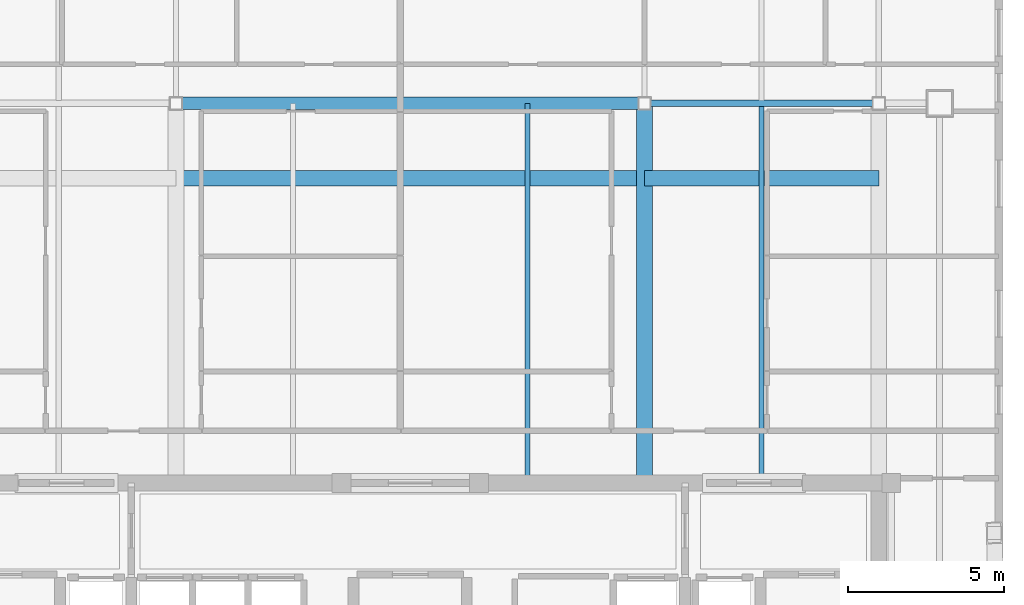
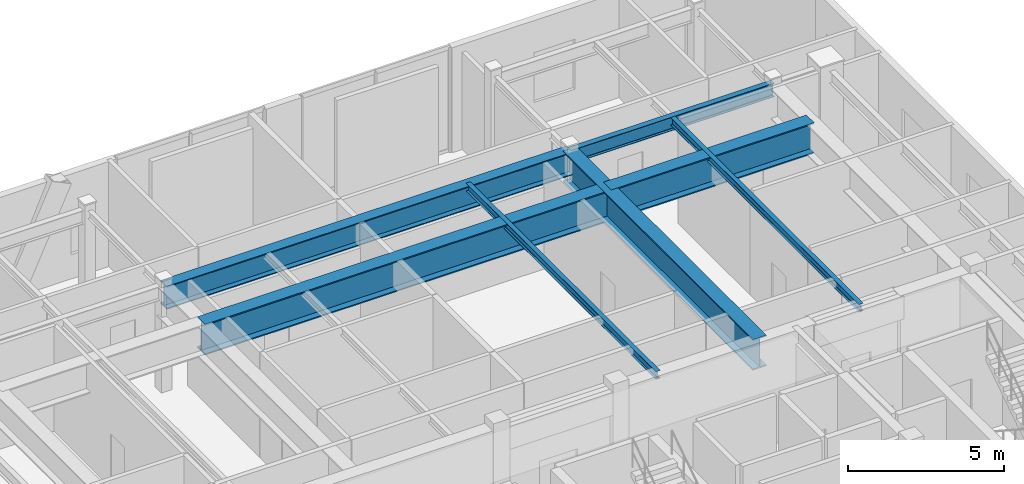
# One storey, part 3 of 10: 7 beams.
"""IFC4 building model written with IfcOpenShell, lengths in metres."""

from ifc_helpers import new_model, si_unit, direction, frame, origin, origin_2d, place, context, subcontext, project, spatial, i_section, extrude, material, material_profile, profile_set, type_object, element, save


model = new_model("IFC4")

# Units and contexts
model_context = context("Model", 3, precision=1e-05, world=origin(), true_north=direction((0.0, 1.0)))
body_context = subcontext(model_context, "Body", "Model", "MODEL_VIEW")
ifc_project = project(units=[si_unit("LENGTHUNIT", "METRE"), si_unit("AREAUNIT", "SQUARE_METRE"), si_unit("VOLUMEUNIT", "CUBIC_METRE"), si_unit("PLANEANGLEUNIT", "RADIAN"), si_unit("MASSUNIT", "GRAM", prefix="KILO")], contexts=[model_context])

# Site, building, storey
site_placement = place(None, origin())
site = spatial("IfcSite", under=ifc_project, at=site_placement, CompositionType="ELEMENT")
building_placement = place(site_placement, origin())
building = spatial("IfcBuilding", under=site, at=building_placement, Name="Ventersveld Concourse Tower", CompositionType="ELEMENT")
storey_placement = place(building_placement, frame((0.0, 0.0, 362.25)))
storey = spatial("IfcBuildingStorey", under=building, at=storey_placement, Name="L89", CompositionType="ELEMENT", Elevation=362.25)

# Beams
ifc_material_1 = material(Name="Structural steel S355J2", Category="steel")
ifc_material_profile_1 = material_profile(ifc_material_1, i_section(OverallWidth=0.1650390625, OverallDepth=0.303466796875, WebThickness=0.006103515625, FlangeThickness=0.01025390625, FilletRadius=0.0087890625, at=origin_2d()), Name="UB 305x165x40")
ifc_profile_set_1 = profile_set([ifc_material_profile_1], Name="Structural steel S355J2")
beam_type_1 = type_object("IfcBeamType", Name="BM-UB305", PredefinedType="BEAM", material=ifc_profile_set_1)
beam_1_placement = place(storey_placement, frame((32.5, 11.449951171875, 3.9482421875), z_axis=(0.0, 1.0, 0.0), x_axis=(-1.0, 0.0, 0.0)))
element("IfcBeam", 1, at=beam_1_placement, inside=storey, type_object=beam_type_1, Name="L89 N-S Composite Floor Beam South X=32.50", PredefinedType="BEAM", context=body_context, shape_type="SweptSolid", body=[
    extrude(i_section(OverallWidth=0.1650390625, OverallDepth=0.303466796875, WebThickness=0.006103515625, FlangeThickness=0.01025390625, FilletRadius=0.0087890625, at=origin_2d()), origin(), (0.0, 0.0, 1.0), 12.150146484375),
])
beam_2_placement = place(storey_placement, frame((40.0, 11.449951171875, 3.9482421875), z_axis=(0.0, 1.0, 0.0), x_axis=(-1.0, 0.0, 0.0)))
element("IfcBeam", 2, at=beam_2_placement, inside=storey, type_object=beam_type_1, Name="L89 N-S Composite Floor Beam South X=40.00", PredefinedType="BEAM", context=body_context, shape_type="SweptSolid", body=[
    extrude(i_section(OverallWidth=0.1650390625, OverallDepth=0.303466796875, WebThickness=0.006103515625, FlangeThickness=0.01025390625, FilletRadius=0.0087890625, at=origin_2d()), origin(), (0.0, 0.0, 1.0), 12.054931640625),
])
ifc_material_profile_2 = material_profile(ifc_material_1, i_section(OverallWidth=0.39990234375, OverallDepth=0.89990234375, WebThickness=0.02197265625, FlangeThickness=0.035888671875, at=origin_2d()), Name="PG 900x400x36")
ifc_profile_set_2 = profile_set([ifc_material_profile_2], Name="Structural steel S355J2")
beam_type_2 = type_object("IfcBeamType", Name="GRD-PG900", PredefinedType="USERDEFINED", material=ifc_profile_set_2)
beam_3_placement = place(storey_placement, frame((21.25, 23.60009765625, 3.64990234375), z_axis=(1.0, 0.0, 0.0), x_axis=(0.0, 1.0, 0.0)))
element("IfcBeam", 3, at=beam_3_placement, inside=storey, type_object=beam_type_2, Name="L89 Primary E-W Grid Girder Y=23.60 #3", ObjectType="GIRDER", PredefinedType="USERDEFINED", context=body_context, shape_type="SweptSolid", body=[
    extrude(i_section(OverallWidth=0.39990234375, OverallDepth=0.89990234375, WebThickness=0.02197265625, FlangeThickness=0.035888671875, at=origin_2d()), origin(), (0.0, 0.0, 1.0), 15.0),
])
ifc_material_profile_3 = material_profile(ifc_material_1, i_section(OverallWidth=0.209228515625, OverallDepth=0.533203125, WebThickness=0.010009765625, FlangeThickness=0.015625, FilletRadius=0.0126953125, at=origin_2d()), Name="UB 533x210x92")
ifc_profile_set_3 = profile_set([ifc_material_profile_3], Name="Structural steel S355J2")
beam_type_3 = type_object("IfcBeamType", Name="GRD-UB533", PredefinedType="T_BEAM", material=ifc_profile_set_3)
beam_4_placement = place(storey_placement, frame((36.25, 23.60009765625, 3.83349609375), z_axis=(1.0, 0.0, 0.0), x_axis=(0.0, 1.0, 0.0)))
element("IfcBeam", 4, at=beam_4_placement, inside=storey, type_object=beam_type_3, Name="L89 Primary E-W Grid Girder Y=23.60 #4", PredefinedType="T_BEAM", context=body_context, shape_type="SweptSolid", body=[
    extrude(i_section(OverallWidth=0.209228515625, OverallDepth=0.533203125, WebThickness=0.010009765625, FlangeThickness=0.015625, FilletRadius=0.0126953125, at=origin_2d()), origin(), (0.0, 0.0, 1.0), 7.5),
])
ifc_material_2 = material(Name="Structural steel S460ML", Category="steel")
ifc_material_profile_4 = material_profile(ifc_material_2, i_section(OverallWidth=0.5, OverallDepth=1.199951171875, WebThickness=0.028076171875, FlangeThickness=0.044921875, at=origin_2d()), Name="PG 1200x500x45")
ifc_profile_set_4 = profile_set([ifc_material_profile_4], Name="Structural steel S460ML")
beam_type_4 = type_object("IfcBeamType", Name="TG-PG1200", PredefinedType="USERDEFINED", material=ifc_profile_set_4)
beam_5_placement = place(storey_placement, frame((36.25, 11.449951171875, 3.5), z_axis=(0.0, 1.0, 0.0), x_axis=(-1.0, 0.0, 0.0)))
element("IfcBeam", 5, at=beam_5_placement, inside=storey, type_object=beam_type_4, Name="L89 Crown Drum North Support Transfer Girder X=36.25", ObjectType="TRANSFER_GIRDER", PredefinedType="USERDEFINED", context=body_context, shape_type="SweptSolid", body=[
    extrude(i_section(OverallWidth=0.5, OverallDepth=1.199951171875, WebThickness=0.028076171875, FlangeThickness=0.044921875, at=origin_2d()), origin(), (0.0, 0.0, 1.0), 12.150146484375),
])
beam_6_placement = place(storey_placement, frame((21.25, 21.199951171875, 3.5), z_axis=(1.0, 0.0, 0.0), x_axis=(0.0, 1.0, 0.0)))
element("IfcBeam", 6, at=beam_6_placement, inside=storey, type_object=beam_type_4, Name="L89 Crown North Ring Transfer 2", ObjectType="TRANSFER_GIRDER", PredefinedType="USERDEFINED", context=body_context, shape_type="SweptSolid", body=[
    extrude(i_section(OverallWidth=0.5, OverallDepth=1.199951171875, WebThickness=0.028076171875, FlangeThickness=0.044921875, at=origin_2d()), origin(), (0.0, 0.0, 1.0), 15.0),
])
beam_7_placement = place(storey_placement, frame((36.25, 21.199951171875, 3.5), z_axis=(1.0, 0.0, 0.0), x_axis=(0.0, 1.0, 0.0)))
element("IfcBeam", 7, at=beam_7_placement, inside=storey, type_object=beam_type_4, Name="L89 Crown North Ring Transfer 3", ObjectType="TRANSFER_GIRDER", PredefinedType="USERDEFINED", context=body_context, shape_type="SweptSolid", body=[
    extrude(i_section(OverallWidth=0.5, OverallDepth=1.199951171875, WebThickness=0.028076171875, FlangeThickness=0.044921875, at=origin_2d()), origin(), (0.0, 0.0, 1.0), 7.5),
])

save(model, "model.ifc")
